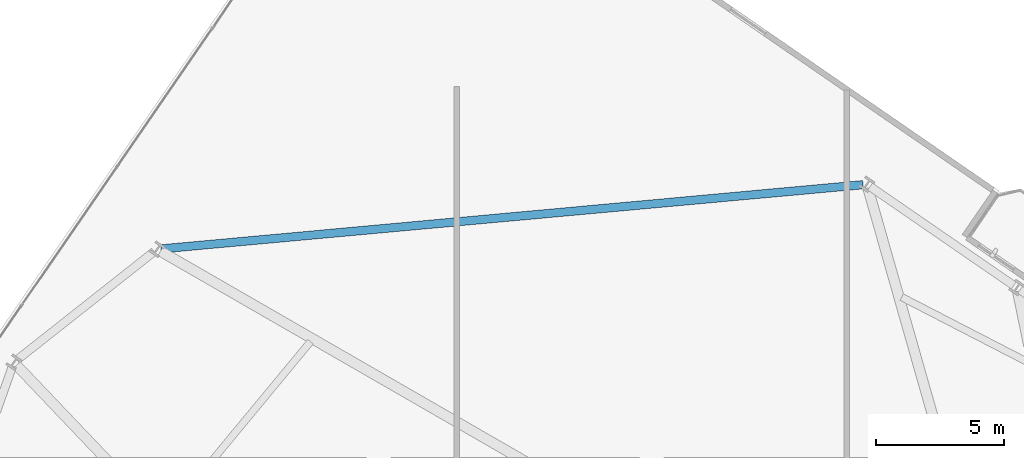
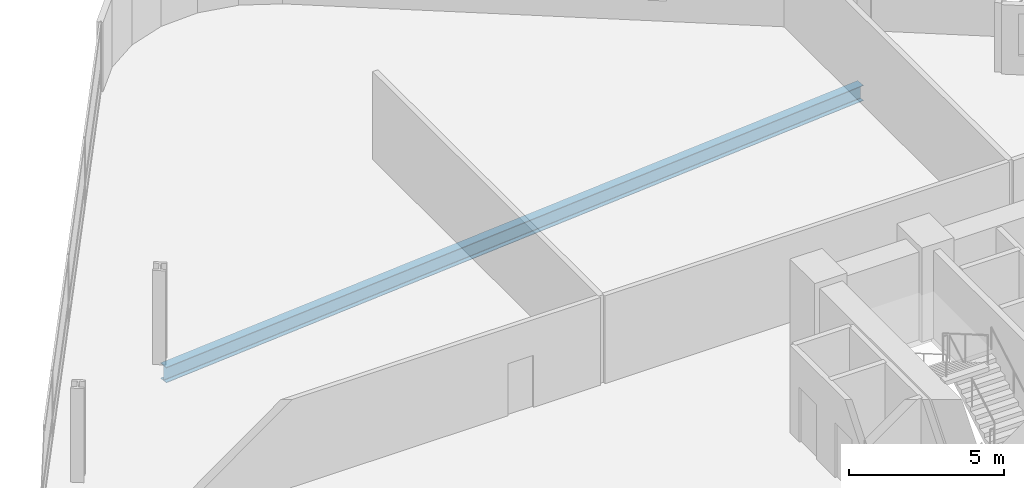
# One storey, part 14 of 24: 1 beam.
"""IFC4 building model written with IfcOpenShell, lengths in metres."""

from ifc_helpers import new_model, si_unit, direction, frame, origin, origin_2d, place, context, subcontext, project, spatial, i_section, extrude, material, material_profile, profile_set, type_object, element, save


model = new_model("IFC4")

# Units and contexts
model_context = context("Model", 3, precision=1e-05, world=origin(), true_north=direction((0.0, 1.0)))
body_context = subcontext(model_context, "Body", "Model", "MODEL_VIEW")
ifc_project = project(units=[si_unit("LENGTHUNIT", "METRE"), si_unit("AREAUNIT", "SQUARE_METRE"), si_unit("VOLUMEUNIT", "CUBIC_METRE"), si_unit("PLANEANGLEUNIT", "RADIAN"), si_unit("MASSUNIT", "GRAM", prefix="KILO")], contexts=[model_context])

# Site, building, storey
site_placement = place(None, origin())
site = spatial("IfcSite", under=ifc_project, at=site_placement, CompositionType="ELEMENT")
building_placement = place(site_placement, origin())
building = spatial("IfcBuilding", under=site, at=building_placement, Name="Varnelok Gate Tower", CompositionType="ELEMENT")
storey_placement = place(building_placement, frame((0.0, 0.0, 41.800048828125)))
storey = spatial("IfcBuildingStorey", under=building, at=storey_placement, Name="L09", CompositionType="ELEMENT", Elevation=41.800048828125)

# Beam
ifc_material = material(Name="Structural Steel ASTM A992 Grade 50", Category="steel")
ifc_material_profile = material_profile(ifc_material, i_section(OverallWidth=0.323974609375, OverallDepth=0.611083984375, WebThickness=0.0126953125, FlangeThickness=0.01904296875, FilletRadius=0.01806640625, at=origin_2d()), Name="W24X104")
ifc_profile_set = profile_set([ifc_material_profile], Name="Structural Steel ASTM A992 Grade 50")
beam_type = type_object("IfcBeamType", Name="BM-SPN-W24X104", PredefinedType="SPANDREL", material=ifc_profile_set)
beam_placement = place(storey_placement, frame((39.8359375, 52.163818359375, -0.5556640625), z_axis=(-0.995845891963, -0.091054705864, 0.0), x_axis=(0.091054705864, -0.995845891963, 0.0)))
element("IfcBeam", 1, at=beam_placement, inside=storey, type_object=beam_type, Name="L09 Perimeter Spandrel Beam 13", PredefinedType="SPANDREL", context=body_context, shape_type="SweptSolid", body=[
    extrude(i_section(OverallWidth=0.323974609375, OverallDepth=0.611083984375, WebThickness=0.0126953125, FlangeThickness=0.01904296875, FilletRadius=0.01806640625, at=origin_2d()), origin(), (0.0, 0.0, 1.0), 27.485595703125),
])

save(model, "model.ifc")
